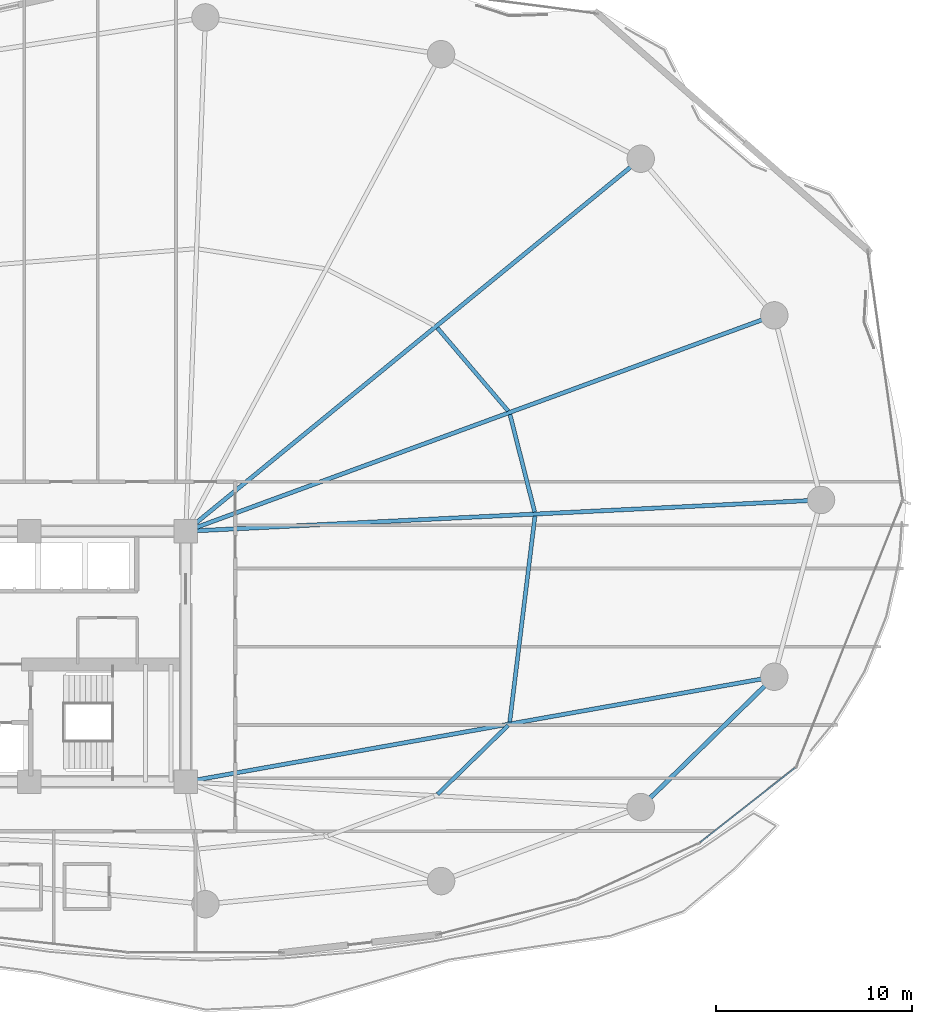
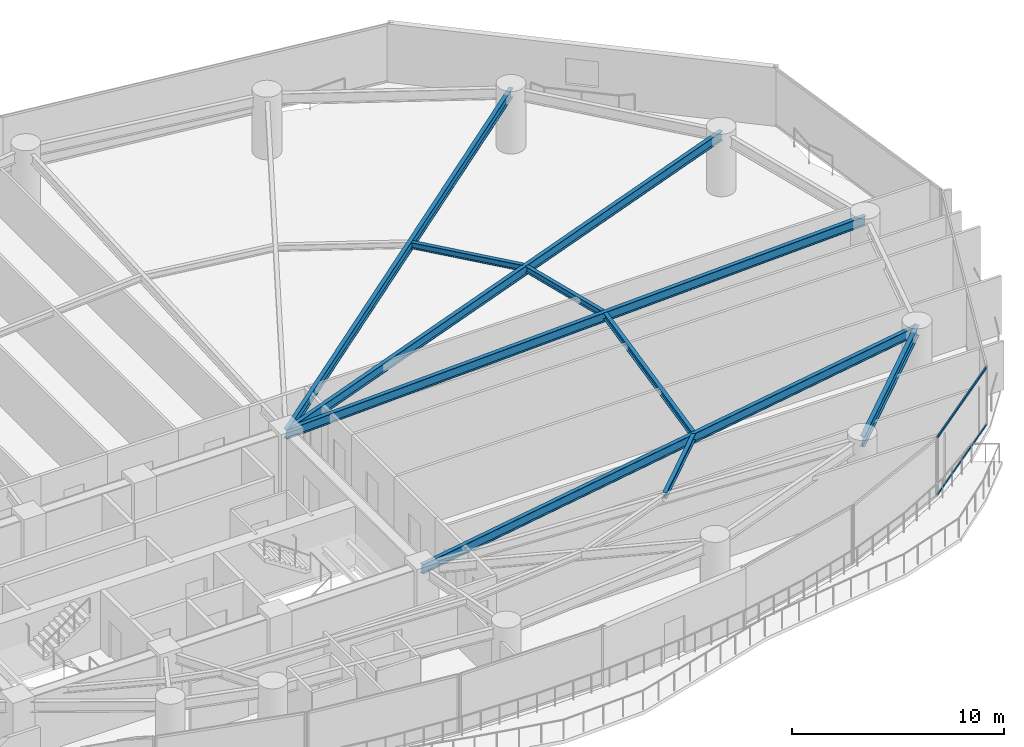
# One storey, part 14 of 32: 9 beams, 2 members, 1 element without a shape of its own.
"""IFC4 building model written with IfcOpenShell, lengths in metres."""

from ifc_helpers import new_model, si_unit, direction, frame, origin, origin_2d, place, context, subcontext, project, spatial, hollow_rectangle, i_section, extrude, material, layer, layer_set, material_profile, profile_set, type_object, element, aggregate, save


model = new_model("IFC4")

# Units and contexts
model_context = context("Model", 3, precision=1e-05, world=origin(), true_north=direction((0.0, 1.0)))
body_context = subcontext(model_context, "Body", "Model", "MODEL_VIEW")
ifc_project = project(units=[si_unit("LENGTHUNIT", "METRE"), si_unit("AREAUNIT", "SQUARE_METRE"), si_unit("VOLUMEUNIT", "CUBIC_METRE"), si_unit("PLANEANGLEUNIT", "RADIAN"), si_unit("MASSUNIT", "GRAM", prefix="KILO")], contexts=[model_context])

# Site, building, storey
site_placement = place(None, origin())
site = spatial("IfcSite", under=ifc_project, at=site_placement, CompositionType="ELEMENT")
building_placement = place(site_placement, origin())
building = spatial("IfcBuilding", under=site, at=building_placement, Name="Kazevale Care Tower and Concert Hall", CompositionType="ELEMENT")
storey_placement = place(building_placement, frame((0.0, 0.0, 34.800048828125)))
storey = spatial("IfcBuildingStorey", under=building, at=storey_placement, Name="L08", CompositionType="ELEMENT", Elevation=34.800048828125)

# Curtain wall, members
ifc_material_1 = material(Name="Aluminium 6063-T6 and Low-E Glass", Category="aluminium")
ifc_layer = layer(ifc_material_1, 0.179931640625)
ifc_layer_set = layer_set([ifc_layer], Name="Aluminium 6063-T6 and Low-E Glass")
curtain_wall_type = type_object("IfcCurtainWallType", Name="Sheltered Concave Balcony Curtain Wall CW-5", PredefinedType="NOTDEFINED", material=ifc_layer_set)
curtain_wall_placement = place(storey_placement, origin())
curtain_wall = element("IfcCurtainWall", 1, at=curtain_wall_placement, inside=storey, type_object=curtain_wall_type, Name="cw:L08:f02", PredefinedType="NOTDEFINED")
ifc_material_2 = material(Name="Aluminium 6063-T6", Category="aluminium")
ifc_material_profile_1 = material_profile(ifc_material_2, hollow_rectangle(XDim=0.074951171875, YDim=0.1201171875, WallThickness=0.00390625, at=origin_2d()), Name="ALU75x120x4")
ifc_profile_set_1 = profile_set([ifc_material_profile_1], Name="Aluminium 6063-T6")
member_type = type_object("IfcMemberType", Name="CW-5 Transom ALU75x120x4", PredefinedType="USERDEFINED", material=ifc_profile_set_1)
member_1_placement = place(storey_placement, frame((75.123046875, 24.317626953125, 0.037353515625), z_axis=(-0.78633897536, -0.617795286344, 0.0), x_axis=(0.617795286344, -0.78633897536, 0.0)))
member_1 = element("IfcMember", 2, at=member_1_placement, type_object=member_type, Name="CW-5 transom 1.1", ObjectType="TRANSOM", PredefinedType="USERDEFINED", context=body_context, shape_type="SweptSolid", body=[
    extrude(hollow_rectangle(XDim=0.074951171875, YDim=0.1201171875, WallThickness=0.00390625, at=origin_2d()), origin(), (0.0, 0.0, 1.0), 6.15771484375),
])
member_2_placement = place(storey_placement, frame((75.123046875, 24.317626953125, 3.322509765625), z_axis=(-0.78633897536, -0.617795286344, 0.0), x_axis=(0.617795286344, -0.78633897536, 0.0)))
member_2 = element("IfcMember", 3, at=member_2_placement, type_object=member_type, Name="CW-5 transom 1.2", ObjectType="TRANSOM", PredefinedType="USERDEFINED", context=body_context, shape_type="SweptSolid", body=[
    extrude(hollow_rectangle(XDim=0.074951171875, YDim=0.1201171875, WallThickness=0.00390625, at=origin_2d()), origin(), (0.0, 0.0, 1.0), 6.15771484375),
])
aggregate(curtain_wall, [member_1, member_2])

# Beams
ifc_material_3 = material(Name="Steel ASTM A572 Gr 50", Category="steel")
ifc_material_profile_2 = material_profile(ifc_material_3, i_section(OverallWidth=0.2119140625, OverallDepth=0.5439453125, WebThickness=0.01318359375, FlangeThickness=0.021240234375, at=origin_2d()), Name="W530x123")
ifc_profile_set_2 = profile_set([ifc_material_profile_2], Name="Steel ASTM A572 Gr 50")
beam_type_1 = type_object("IfcBeamType", Name="Radial Floor Girder W530x123", PredefinedType="BEAM", material=ifc_profile_set_2)
beam_1_placement = place(storey_placement, frame((44.0, 36.39990234375, 3.087890625), z_axis=(0.998786488782, 0.049249871327, 0.0), x_axis=(-0.049249871327, 0.998786488782, 0.0)))
element("IfcBeam", 4, at=beam_1_placement, inside=storey, type_object=beam_type_1, Name="beam:L08:rad:01", PredefinedType="BEAM", context=body_context, shape_type="SweptSolid", body=[
    extrude(i_section(OverallWidth=0.2119140625, OverallDepth=0.5439453125, WebThickness=0.01318359375, FlangeThickness=0.021240234375, at=origin_2d()), origin(), (0.0, 0.0, 1.0), 32.4892578125),
])
beam_2_placement = place(storey_placement, frame((44.0, 36.39990234375, 3.087890625), z_axis=(0.938795458019, 0.34447509054, 0.0), x_axis=(-0.34447509054, 0.938795458019, 0.0)))
element("IfcBeam", 5, at=beam_2_placement, inside=storey, type_object=beam_type_1, Name="beam:L08:rad:02", PredefinedType="BEAM", context=body_context, shape_type="SweptSolid", body=[
    extrude(i_section(OverallWidth=0.2119140625, OverallDepth=0.5439453125, WebThickness=0.01318359375, FlangeThickness=0.021240234375, at=origin_2d()), origin(), (0.0, 0.0, 1.0), 32.019775390625),
])
beam_3_placement = place(storey_placement, frame((44.0, 36.39990234375, 3.087890625), z_axis=(0.773704467398, 0.633546681097, 0.0), x_axis=(-0.633546681097, 0.773704467398, 0.0)))
element("IfcBeam", 6, at=beam_3_placement, inside=storey, type_object=beam_type_1, Name="beam:L08:rad:03", PredefinedType="BEAM", context=body_context, shape_type="SweptSolid", body=[
    extrude(i_section(OverallWidth=0.2119140625, OverallDepth=0.5439453125, WebThickness=0.01318359375, FlangeThickness=0.021240234375, at=origin_2d()), origin(), (0.0, 0.0, 1.0), 30.037353515625),
])
beam_4_placement = place(storey_placement, frame((44.0, 23.60009765625, 3.087890625), z_axis=(0.984416208219, 0.175854283415, 0.0), x_axis=(-0.175854283415, 0.984416208219, 0.0)))
element("IfcBeam", 7, at=beam_4_placement, inside=storey, type_object=beam_type_1, Name="beam:L08:rad:16", PredefinedType="BEAM", context=body_context, shape_type="SweptSolid", body=[
    extrude(i_section(OverallWidth=0.2119140625, OverallDepth=0.5439453125, WebThickness=0.01318359375, FlangeThickness=0.021240234375, at=origin_2d()), origin(), (0.0, 0.0, 1.0), 30.535888671875),
])
ifc_material_profile_3 = material_profile(ifc_material_3, i_section(OverallWidth=0.22900390625, OverallDepth=0.612060546875, WebThickness=0.011962890625, FlangeThickness=0.01953125, at=origin_2d()), Name="W610x125")
ifc_profile_set_3 = profile_set([ifc_material_profile_3], Name="Steel ASTM A572 Gr 50")
beam_type_2 = type_object("IfcBeamType", Name="Ring Spandrel Beam W610x125", PredefinedType="SPANDREL", material=ifc_profile_set_3)
beam_5_placement = place(storey_placement, frame((67.239990234375, 22.31005859375, 3.053955078125), z_axis=(0.715457453508, 0.698656304788, 0.0), x_axis=(-0.698656304788, 0.715457453508, 0.0)))
element("IfcBeam", 8, at=beam_5_placement, inside=storey, type_object=beam_type_2, Name="beam:L08:ring:15", PredefinedType="SPANDREL", context=body_context, shape_type="SweptSolid", body=[
    extrude(i_section(OverallWidth=0.22900390625, OverallDepth=0.612060546875, WebThickness=0.011962890625, FlangeThickness=0.01953125, at=origin_2d()), origin(), (0.0, 0.0, 1.0), 9.532470703125),
])
ifc_material_profile_4 = material_profile(ifc_material_3, i_section(OverallWidth=0.205078125, OverallDepth=0.35400390625, WebThickness=0.009521484375, FlangeThickness=0.016845703125, at=origin_2d()), Name="W360x79")
ifc_profile_set_4 = profile_set([ifc_material_profile_4], Name="Steel ASTM A572 Gr 50")
beam_type_3 = type_object("IfcBeamType", Name="Secondary Floor Joist W360x79", PredefinedType="JOIST", material=ifc_profile_set_4)
beam_6_placement = place(storey_placement, frame((61.822021484375, 37.382080078125, 3.182861328125), z_axis=(-0.24568570229, 0.969349542575, 0.0), x_axis=(-0.969349542575, -0.24568570229, 0.0)))
element("IfcBeam", 9, at=beam_6_placement, inside=storey, type_object=beam_type_3, Name="beam:L08:joist:01", PredefinedType="JOIST", context=body_context, shape_type="SweptSolid", body=[
    extrude(i_section(OverallWidth=0.205078125, OverallDepth=0.35400390625, WebThickness=0.009521484375, FlangeThickness=0.016845703125, at=origin_2d()), origin(), (0.0, 0.0, 1.0), 5.140380859375),
])
beam_7_placement = place(storey_placement, frame((60.465087890625, 42.5458984375, 3.182861328125), z_axis=(-0.648685510477, 0.761056573783, 0.0), x_axis=(-0.761056573783, -0.648685510477, 0.0)))
element("IfcBeam", 10, at=beam_7_placement, inside=storey, type_object=beam_type_3, Name="beam:L08:joist:02", PredefinedType="JOIST", context=body_context, shape_type="SweptSolid", body=[
    extrude(i_section(OverallWidth=0.205078125, OverallDepth=0.35400390625, WebThickness=0.009521484375, FlangeThickness=0.016845703125, at=origin_2d()), origin(), (0.0, 0.0, 1.0), 5.57275390625),
])
beam_8_placement = place(storey_placement, frame((56.85693359375, 22.964111328125, 3.182861328125), z_axis=(0.715521089339, 0.698591132717, 0.0), x_axis=(-0.698591132717, 0.715521089339, 0.0)))
element("IfcBeam", 11, at=beam_8_placement, inside=storey, type_object=beam_type_3, Name="beam:L08:joist:15", PredefinedType="JOIST", context=body_context, shape_type="SweptSolid", body=[
    extrude(i_section(OverallWidth=0.205078125, OverallDepth=0.35400390625, WebThickness=0.009521484375, FlangeThickness=0.016845703125, at=origin_2d()), origin(), (0.0, 0.0, 1.0), 5.03271484375),
])
beam_9_placement = place(storey_placement, frame((60.5458984375, 26.657958984375, 3.182861328125), z_axis=(0.1216468088, 0.992573450133, 0.0), x_axis=(-0.992573450133, 0.1216468088, 0.0)))
element("IfcBeam", 12, at=beam_9_placement, inside=storey, type_object=beam_type_3, Name="beam:L08:joist:16", PredefinedType="JOIST", context=body_context, shape_type="SweptSolid", body=[
    extrude(i_section(OverallWidth=0.205078125, OverallDepth=0.35400390625, WebThickness=0.009521484375, FlangeThickness=0.016845703125, at=origin_2d()), origin(), (0.0, 0.0, 1.0), 10.5966796875),
])

save(model, "model.ifc")
